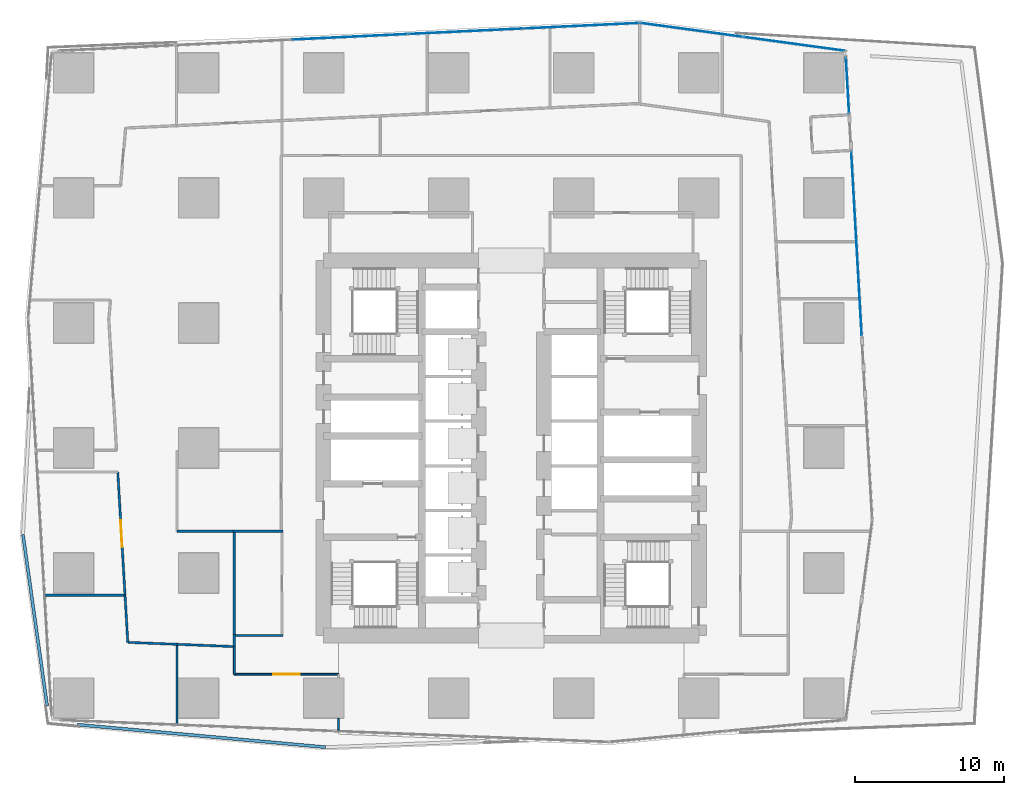
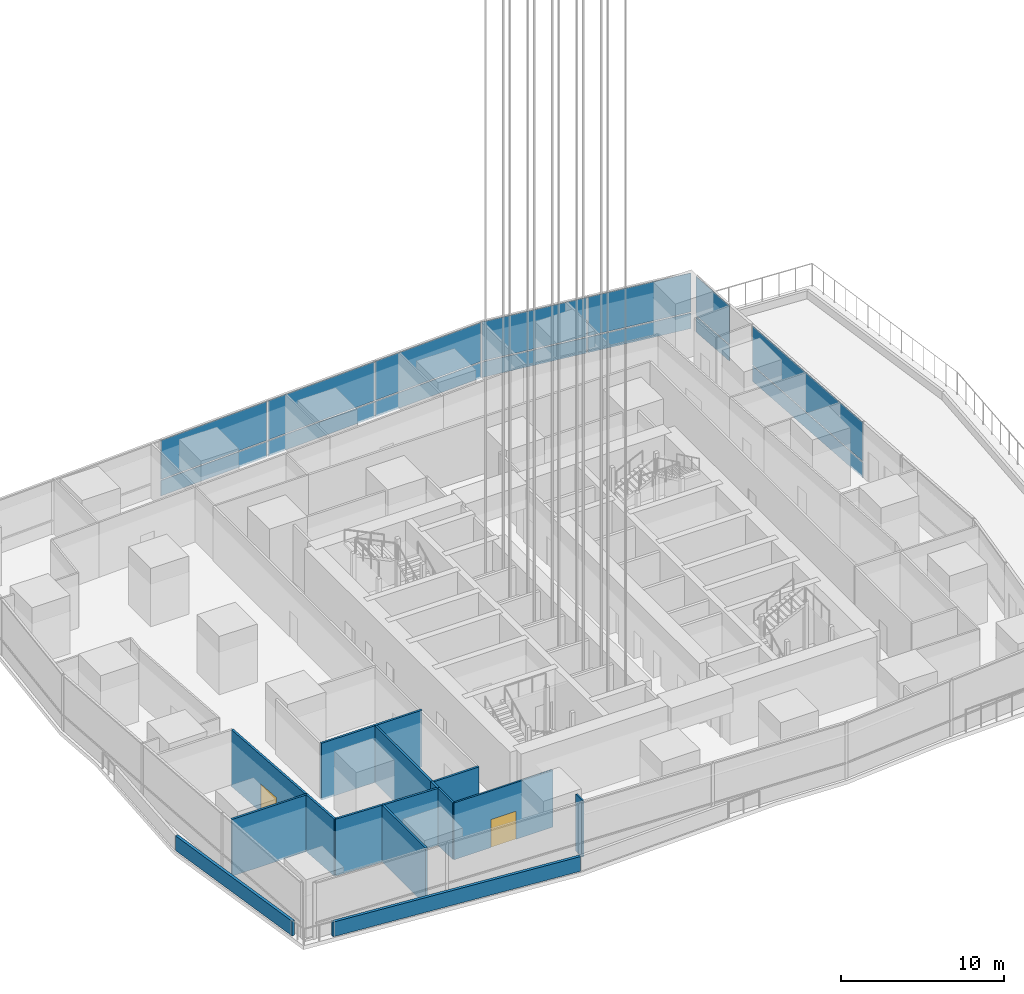
# One storey, part 14 of 39: 16 walls, 14 plates, 2 doors, 2 openings, 4 elements without a shape of their own.
"""IFC4 building model written with IfcOpenShell, lengths in metres."""

from ifc_helpers import new_model, si_unit, direction, frame, frame_2d, origin, origin_2d, place, context, subcontext, project, spatial, rectangle, extrude, material, layer, layer_set, type_object, element, fill, aggregate, save


model = new_model("IFC4")

# Units and contexts
model_context = context("Model", 3, precision=1e-05, world=origin(), true_north=direction((0.0, 1.0)))
body_context = subcontext(model_context, "Body", "Model", "MODEL_VIEW")
ifc_project = project(units=[si_unit("LENGTHUNIT", "METRE"), si_unit("AREAUNIT", "SQUARE_METRE"), si_unit("VOLUMEUNIT", "CUBIC_METRE"), si_unit("PLANEANGLEUNIT", "RADIAN"), si_unit("MASSUNIT", "GRAM", prefix="KILO")], contexts=[model_context])

# Site, building, storey
site_placement = place(None, origin())
site = spatial("IfcSite", under=ifc_project, at=site_placement, CompositionType="ELEMENT")
building_placement = place(site_placement, origin())
building = spatial("IfcBuilding", under=site, at=building_placement, Name="Rekha Terrace Tower", CompositionType="ELEMENT")
storey_placement = place(building_placement, frame((0.0, 0.0, 168.199951171875)))
storey = spatial("IfcBuildingStorey", under=building, at=storey_placement, Name="L42", CompositionType="ELEMENT", Elevation=168.199951171875)

# Curtain wall, plates
ifc_material_1 = material(Name="Aluminium framing", Category="aluminium")
curtain_wall_type = type_object("IfcCurtainWallType", Name="CW5 sky garden glazing", PredefinedType="USERDEFINED", material=ifc_material_1)
curtain_wall_1_placement = place(storey_placement, origin())
curtain_wall_1 = element("IfcCurtainWall", 1, at=curtain_wall_1_placement, inside=storey, type_object=curtain_wall_type, Name="CW5 sky garden curtain wall", ObjectType="SKY GARDEN CURTAIN WALL", PredefinedType="USERDEFINED")
ifc_material_2 = material(Name="Laminated double-glazed unit 36", Category="glass")
ifc_layer_1 = layer(ifc_material_2, 0.035888671875)
ifc_layer_set_1 = layer_set([ifc_layer_1], Name="Laminated double-glazed unit 36")
plate_type = type_object("IfcPlateType", Name="CW5 jumbo vision panel, laminated double-glazed unit 36", PredefinedType="CURTAIN_PANEL", material=ifc_layer_set_1)
plate_1_placement = place(storey_placement, frame((60.99462890625, 47.328369140625, 0.0), z_axis=(0.0, 0.0, 1.0), x_axis=(-0.056673194929, 0.998392782915, 0.0)))
plate_1 = element("IfcPlate", 2, at=plate_1_placement, type_object=plate_type, Name="CW5 panel 1.1", PredefinedType="CURTAIN_PANEL", context=body_context, shape_type="SweptSolid", body=[
    extrude(rectangle(XDim=12.360595703125, YDim=0.035888671875, at=origin_2d()), origin(), (0.0, 0.0, 1.0), 1.155029296875),
])
plate_2_placement = place(storey_placement, frame((60.99462890625, 47.328369140625, 1.2451171875), z_axis=(0.0, 0.0, 1.0), x_axis=(-0.056673194929, 0.998392782915, 0.0)))
plate_2 = element("IfcPlate", 3, at=plate_2_placement, type_object=plate_type, Name="CW5 panel 1.2", PredefinedType="CURTAIN_PANEL", context=body_context, shape_type="SweptSolid", body=[
    extrude(rectangle(XDim=12.360595703125, YDim=0.035888671875, at=origin_2d()), origin(), (0.0, 0.0, 1.0), 2.9150390625),
])
aggregate(curtain_wall_1, [plate_1, plate_2])

curtain_wall_2_placement = place(storey_placement, origin())
curtain_wall_2 = element("IfcCurtainWall", 4, at=curtain_wall_2_placement, inside=storey, type_object=curtain_wall_type, Name="CW5 sky garden curtain wall", ObjectType="SKY GARDEN CURTAIN WALL", PredefinedType="USERDEFINED")
plate_3_placement = place(storey_placement, frame((60.39208984375, 57.942138671875, 0.0), z_axis=(0.0, 0.0, 1.0), x_axis=(-0.056673194912, 0.998392782916, 0.0)))
plate_3 = element("IfcPlate", 5, at=plate_3_placement, type_object=plate_type, Name="CW5 panel 1.1", PredefinedType="CURTAIN_PANEL", context=body_context, shape_type="SweptSolid", body=[
    extrude(rectangle(XDim=3.740966796875, YDim=0.035888671875, at=origin_2d()), origin(), (0.0, 0.0, 1.0), 1.155029296875),
])
plate_4_placement = place(storey_placement, frame((60.39208984375, 57.942138671875, 1.2451171875), z_axis=(0.0, 0.0, 1.0), x_axis=(-0.056673194912, 0.998392782916, 0.0)))
plate_4 = element("IfcPlate", 6, at=plate_4_placement, type_object=plate_type, Name="CW5 panel 1.2", PredefinedType="CURTAIN_PANEL", context=body_context, shape_type="SweptSolid", body=[
    extrude(rectangle(XDim=3.740966796875, YDim=0.035888671875, at=origin_2d()), origin(), (0.0, 0.0, 1.0), 2.9150390625),
])
aggregate(curtain_wall_2, [plate_3, plate_4])

curtain_wall_3_placement = place(storey_placement, origin())
curtain_wall_3 = element("IfcCurtainWall", 7, at=curtain_wall_3_placement, inside=storey, type_object=curtain_wall_type, Name="CW5 sky garden curtain wall", ObjectType="SKY GARDEN CURTAIN WALL", PredefinedType="USERDEFINED")
plate_5_placement = place(storey_placement, frame((56.792236328125, 60.745849609375, 0.0), z_axis=(0.0, 0.0, 1.0), x_axis=(-0.990867270504, 0.134840840416, 0.0)))
plate_5 = element("IfcPlate", 8, at=plate_5_placement, type_object=plate_type, Name="CW5 panel 1.1", PredefinedType="CURTAIN_PANEL", context=body_context, shape_type="SweptSolid", body=[
    extrude(rectangle(XDim=6.81884765625, YDim=0.035888671875, at=origin_2d()), origin(), (0.0, 0.0, 1.0), 1.155029296875),
])
plate_6_placement = place(storey_placement, frame((56.792236328125, 60.745849609375, 1.2451171875), z_axis=(0.0, 0.0, 1.0), x_axis=(-0.990867270504, 0.134840840416, 0.0)))
plate_6 = element("IfcPlate", 9, at=plate_6_placement, type_object=plate_type, Name="CW5 panel 1.2", PredefinedType="CURTAIN_PANEL", context=body_context, shape_type="SweptSolid", body=[
    extrude(rectangle(XDim=6.81884765625, YDim=0.035888671875, at=origin_2d()), origin(), (0.0, 0.0, 1.0), 2.9150390625),
])
plate_7_placement = place(storey_placement, frame((49.902099609375, 61.68359375, 0.0), z_axis=(0.0, 0.0, 1.0), x_axis=(-0.990867270504, 0.134840840416, 0.0)))
plate_7 = element("IfcPlate", 10, at=plate_7_placement, type_object=plate_type, Name="CW5 panel 2.1", PredefinedType="CURTAIN_PANEL", context=body_context, shape_type="SweptSolid", body=[
    extrude(rectangle(XDim=6.90869140625, YDim=0.035888671875, at=origin_2d()), origin(), (0.0, 0.0, 1.0), 1.155029296875),
])
plate_8_placement = place(storey_placement, frame((49.902099609375, 61.68359375, 1.2451171875), z_axis=(0.0, 0.0, 1.0), x_axis=(-0.990867270504, 0.134840840416, 0.0)))
plate_8 = element("IfcPlate", 11, at=plate_8_placement, type_object=plate_type, Name="CW5 panel 2.2", PredefinedType="CURTAIN_PANEL", context=body_context, shape_type="SweptSolid", body=[
    extrude(rectangle(XDim=6.90869140625, YDim=0.035888671875, at=origin_2d()), origin(), (0.0, 0.0, 1.0), 2.9150390625),
])
aggregate(curtain_wall_3, [plate_5, plate_6, plate_7, plate_8])

curtain_wall_4_placement = place(storey_placement, origin())
curtain_wall_4 = element("IfcCurtainWall", 12, at=curtain_wall_4_placement, inside=storey, type_object=curtain_wall_type, Name="CW5 sky garden curtain wall", ObjectType="SKY GARDEN CURTAIN WALL", PredefinedType="USERDEFINED")
plate_9_placement = place(storey_placement, frame((42.548828125, 61.96142578125, 0.0), z_axis=(0.0, 0.0, 1.0), x_axis=(-0.998858906204, -0.047758616983, 0.0)))
plate_9 = element("IfcPlate", 13, at=plate_9_placement, type_object=plate_type, Name="CW5 panel 1.1", PredefinedType="CURTAIN_PANEL", context=body_context, shape_type="SweptSolid", body=[
    extrude(rectangle(XDim=7.68994140625, YDim=0.035888671875, at=origin_2d()), origin(), (0.0, 0.0, 1.0), 1.155029296875),
])
plate_10_placement = place(storey_placement, frame((42.548828125, 61.96142578125, 1.2451171875), z_axis=(0.0, 0.0, 1.0), x_axis=(-0.998858906204, -0.047758616983, 0.0)))
plate_10 = element("IfcPlate", 14, at=plate_10_placement, type_object=plate_type, Name="CW5 panel 1.2", PredefinedType="CURTAIN_PANEL", context=body_context, shape_type="SweptSolid", body=[
    extrude(rectangle(XDim=7.68994140625, YDim=0.035888671875, at=origin_2d()), origin(), (0.0, 0.0, 1.0), 2.9150390625),
])
plate_11_placement = place(storey_placement, frame((34.755126953125, 61.5888671875, 0.0), z_axis=(0.0, 0.0, 1.0), x_axis=(-0.998858906204, -0.047758616983, 0.0)))
plate_11 = element("IfcPlate", 15, at=plate_11_placement, type_object=plate_type, Name="CW5 panel 2.1", PredefinedType="CURTAIN_PANEL", context=body_context, shape_type="SweptSolid", body=[
    extrude(rectangle(XDim=7.73486328125, YDim=0.035888671875, at=origin_2d()), origin(), (0.0, 0.0, 1.0), 1.155029296875),
])
plate_12_placement = place(storey_placement, frame((34.755126953125, 61.5888671875, 1.2451171875), z_axis=(0.0, 0.0, 1.0), x_axis=(-0.998858906204, -0.047758616983, 0.0)))
plate_12 = element("IfcPlate", 16, at=plate_12_placement, type_object=plate_type, Name="CW5 panel 2.2", PredefinedType="CURTAIN_PANEL", context=body_context, shape_type="SweptSolid", body=[
    extrude(rectangle(XDim=7.73486328125, YDim=0.035888671875, at=origin_2d()), origin(), (0.0, 0.0, 1.0), 2.9150390625),
])
plate_13_placement = place(storey_placement, frame((26.939208984375, 61.215087890625, 0.0), z_axis=(0.0, 0.0, 1.0), x_axis=(-0.998858906204, -0.047758616983, 0.0)))
plate_13 = element("IfcPlate", 17, at=plate_13_placement, type_object=plate_type, Name="CW5 panel 3.1", PredefinedType="CURTAIN_PANEL", context=body_context, shape_type="SweptSolid", body=[
    extrude(rectangle(XDim=7.73486328125, YDim=0.035888671875, at=origin_2d()), origin(), (0.0, 0.0, 1.0), 1.155029296875),
])
plate_14_placement = place(storey_placement, frame((26.939208984375, 61.215087890625, 1.2451171875), z_axis=(0.0, 0.0, 1.0), x_axis=(-0.998858906204, -0.047758616983, 0.0)))
plate_14 = element("IfcPlate", 18, at=plate_14_placement, type_object=plate_type, Name="CW5 panel 3.2", PredefinedType="CURTAIN_PANEL", context=body_context, shape_type="SweptSolid", body=[
    extrude(rectangle(XDim=7.73486328125, YDim=0.035888671875, at=origin_2d()), origin(), (0.0, 0.0, 1.0), 2.9150390625),
])
aggregate(curtain_wall_4, [plate_9, plate_10, plate_11, plate_12, plate_13, plate_14])

# Walls
ifc_material_3 = material(Name="Concrete M40", Category="concrete")
ifc_layer_2 = layer(ifc_material_3, 0.199951171875)
ifc_layer_set_2 = layer_set([ifc_layer_2], Name="Concrete M40")
wall_type_1 = type_object("IfcWallType", Name="PP1 parapet wall 200", PredefinedType="PARAPET", material=ifc_layer_set_2)
wall_1_placement = place(storey_placement, frame((5.000732421875, 27.776611328125, 0.0), z_axis=(0.0, 0.0, 1.0), x_axis=(0.139605325678, -0.990207227323, 0.0)))
element("IfcWall", 19, at=wall_1_placement, inside=storey, type_object=wall_type_1, Name="Ledge parapet", PredefinedType="PARAPET", context=body_context, shape_type="SweptSolid", body=[
    extrude(rectangle(XDim=11.633056640625, YDim=0.199951171875, at=frame_2d((5.81640625, 0.0))), origin(), (0.0, 0.0, 1.0), 1.10009765625),
])
wall_2_placement = place(storey_placement, frame((8.660400390625, 15.013671875, 0.0), z_axis=(0.0, 0.0, 1.0), x_axis=(0.995901573545, -0.090443660974, 0.0)))
element("IfcWall", 20, at=wall_2_placement, inside=storey, type_object=wall_type_1, Name="Ledge parapet", PredefinedType="PARAPET", context=body_context, shape_type="SweptSolid", body=[
    extrude(rectangle(XDim=16.7333984375, YDim=0.199951171875, at=frame_2d((8.36669921875, 0.0))), origin(), (0.0, 0.0, 1.0), 1.10009765625),
])
ifc_material_4 = material(Name="Concrete block masonry, 1 hour", Category="masonry")
ifc_layer_3 = layer(ifc_material_4, 0.14990234375)
ifc_layer_set_3 = layer_set([ifc_layer_3], Name="Concrete block masonry, 1 hour")
wall_type_2 = type_object("IfcWallType", Name="WP2 150 tenancy partition", PredefinedType="PARTITIONING", material=ifc_layer_set_3)
for number, where, z_axis, x_axis, name in (
    (21, (19.125, 21.0, 0.0), (0.0, 0.0, 1.0), (1.0, 0.0, 0.0), "Men's WC wall L42"),
    (22, (19.125, 28.0, 0.0), (0.0, 0.0, 1.0), (1.0, 0.0, 0.0), "Men's WC wall L42"),
):
    element("IfcWall", number, at=place(storey_placement, frame(where, z_axis=z_axis, x_axis=x_axis)), inside=storey, type_object=wall_type_2, Name=name, PredefinedType="PARTITIONING", context=body_context, shape_type="SweptSolid", body=[
        extrude(rectangle(XDim=3.35009765625, YDim=0.14990234375, at=frame_2d((1.675048828125, 0.0))), origin(), (0.0, 0.0, 1.0), 4.25),
    ])
wall_3_placement = place(storey_placement, frame((19.199951171875, 21.074951171875, 0.0), z_axis=(0.0, 0.0, 1.0), x_axis=(0.0, 1.0, 0.0)))
element("IfcWall", 23, at=wall_3_placement, inside=storey, type_object=wall_type_2, Name="Men's WC wall L42", PredefinedType="PARTITIONING", context=body_context, shape_type="SweptSolid", body=[
    extrude(rectangle(XDim=6.85009765625, YDim=0.14990234375, at=frame_2d((3.425048828125, 0.0))), origin(), (0.0, 0.0, 1.0), 4.25),
])
wall_4_placement = place(storey_placement, frame((15.340087890625, 28.0, 0.0), z_axis=(0.0, 0.0, 1.0), x_axis=(1.0, 0.0, 0.0)))
element("IfcWall", 24, at=wall_4_placement, inside=storey, type_object=wall_type_2, Name="Partition L42-O2b", PredefinedType="PARTITIONING", context=body_context, shape_type="SweptSolid", body=[
    extrude(rectangle(XDim=3.783935546875, YDim=0.14990234375, at=frame_2d((1.89208984375, 0.0))), origin(), (0.0, 0.0, 1.0), 4.25),
])
wall_5_placement = place(storey_placement, frame((19.199951171875, 21.074951171875, 0.0), z_axis=(0.0, 0.0, 1.0), x_axis=(0.0, -1.0, 0.0)))
element("IfcWall", 25, at=wall_5_placement, inside=storey, type_object=wall_type_2, Name="Partition L42-O2b", PredefinedType="PARTITIONING", context=body_context, shape_type="SweptSolid", body=[
    extrude(rectangle(XDim=0.81689453125, YDim=0.14990234375, at=frame_2d((0.408447265625, 0.0))), origin(), (0.0, 0.0, 1.0), 4.25),
])
wall_6_placement = place(storey_placement, frame((19.199951171875, 20.258056640625, 0.0), z_axis=(0.0, 0.0, 1.0), x_axis=(-0.999204086199, 0.039889774667, 0.0)))
element("IfcWall", 26, at=wall_6_placement, inside=storey, type_object=wall_type_2, Name="Partition L42-O2b", PredefinedType="PARTITIONING", context=body_context, shape_type="SweptSolid", body=[
    extrude(rectangle(XDim=3.862060546875, YDim=0.14990234375, at=frame_2d((1.93115234375, 0.0))), origin(), (0.0, 0.0, 1.0), 4.25),
])
wall_7_placement = place(storey_placement, frame((15.341064453125, 20.412109375, 0.0), z_axis=(0.0, 0.0, 1.0), x_axis=(0.0, -1.0, 0.0)))
element("IfcWall", 27, at=wall_7_placement, inside=storey, type_object=wall_type_2, Name="Partition L42-O2b", PredefinedType="PARTITIONING", context=body_context, shape_type="SweptSolid", body=[
    extrude(rectangle(XDim=5.355224609375, YDim=0.14990234375, at=frame_2d((2.677734375, 0.0))), origin(), (0.0, 0.0, 1.0), 4.25),
])
wall_8_placement = place(storey_placement, frame((15.340087890625, 20.412109375, 0.0), z_axis=(0.0, 0.0, 1.0), x_axis=(-0.999202021772, 0.039941453235, 0.0)))
element("IfcWall", 28, at=wall_8_placement, inside=storey, type_object=wall_type_2, Name="Partition L42-O2b", PredefinedType="PARTITIONING", context=body_context, shape_type="SweptSolid", body=[
    extrude(rectangle(XDim=3.30078125, YDim=0.14990234375, at=frame_2d((1.650390625, 0.0))), origin(), (0.0, 0.0, 1.0), 4.25),
])
wall_9_placement = place(storey_placement, frame((12.0419921875, 20.5439453125, 0.0), z_axis=(0.0, 0.0, 1.0), x_axis=(-0.058807979637, 0.998269313127, 0.0)))
element("IfcWall", 29, at=wall_9_placement, inside=storey, type_object=wall_type_2, Name="Partition L42-O2b", PredefinedType="PARTITIONING", context=body_context, shape_type="SweptSolid", body=[
    extrude(rectangle(XDim=3.163330078125, YDim=0.14990234375, at=frame_2d((1.58154296875, 0.0))), origin(), (0.0, 0.0, 1.0), 4.25),
])
wall_10_placement = place(storey_placement, frame((11.85595703125, 23.701904296875, 0.0), z_axis=(0.0, 0.0, 1.0), x_axis=(-1.0, 0.0, 0.0)))
element("IfcWall", 30, at=wall_10_placement, inside=storey, type_object=wall_type_2, Name="Partition L42-O2b", PredefinedType="PARTITIONING", context=body_context, shape_type="SweptSolid", body=[
    extrude(rectangle(XDim=5.328857421875, YDim=0.14990234375, at=frame_2d((2.66455078125, 0.0))), origin(), (0.0, 0.0, 1.0), 4.25),
])

# Wall, opening, door
wall_11_placement = place(storey_placement, frame((11.85595703125, 23.702880859375, 0.0), z_axis=(0.0, 0.0, 1.0), x_axis=(-0.058672025665, 0.998277312877, 0.0)))
wall_11 = element("IfcWall", 31, at=wall_11_placement, inside=storey, type_object=wall_type_2, Name="Partition L42-O2b", PredefinedType="PARTITIONING", context=body_context, shape_type="SweptSolid", body=[
    extrude(rectangle(XDim=8.301513671875, YDim=0.14990234375, at=frame_2d((4.15087890625, 0.0))), origin(), (0.0, 0.0, 1.0), 4.25),
])
opening_1_placement = place(wall_11_placement, frame((3.2509765625, 0.0, 0.0)))
opening_1 = element("IfcOpeningElement", 32, at=opening_1_placement, cuts=wall_11, Name="Opening D8", PredefinedType="OPENING", context=body_context, shape_type="SweptSolid", body=[
    extrude(rectangle(XDim=1.800048828125, YDim=2.10009765625, at=frame_2d((0.89990234375, 1.050048828125))), frame((0.0, 0.0849609375, 0.0), z_axis=(0.0, -1.0, 0.0), x_axis=(1.0, 0.0, 0.0)), (0.0, 0.0, 1.0), 0.169921875),
])
ifc_material_5 = material(Name="Timber fire door", Category="wood")
door_type = type_object("IfcDoorType", Name="D8 1800x2100 double leaf door", OperationType="DOUBLE_DOOR_SINGLE_SWING", PredefinedType="DOOR", material=ifc_material_5)
door_1_placement = place(opening_1_placement, origin())
door_1 = element("IfcDoor", 33, at=door_1_placement, inside=storey, type_object=door_type, Name="Door breakout lounge L42", OperationType="DOUBLE_DOOR_SINGLE_SWING", OverallHeight=2.10009765625, OverallWidth=1.800048828125, PredefinedType="DOOR", context=body_context, shape_type="SweptSolid", body=[
    extrude(rectangle(XDim=1.800048828125, YDim=2.10009765625, at=frame_2d((0.89990234375, 1.050048828125))), frame((0.0, 0.02490234375, 0.0), z_axis=(0.0, -1.0, 0.0), x_axis=(1.0, 0.0, 0.0)), (0.0, 0.0, 1.0), 0.050048828125),
])
fill(opening_1, door_1)

# Wall
ifc_material_6 = material(Name="Two layers of fire-rated gypsum board each side on steel studs, acoustic quilt, 1 hour", Category="steel")
ifc_layer_4 = layer(ifc_material_6, 0.125)
ifc_layer_set_4 = layer_set([ifc_layer_4], Name="Two layers of fire-rated gypsum board each side on steel studs, acoustic quilt, 1 hour")
wall_type_3 = type_object("IfcWallType", Name="WP3 125 office partition", PredefinedType="PARTITIONING", material=ifc_layer_set_4)
wall_12_placement = place(storey_placement, frame((19.199951171875, 20.258056640625, 0.0), z_axis=(0.0, 0.0, 1.0), x_axis=(0.0, -1.0, 0.0)))
element("IfcWall", 34, at=wall_12_placement, inside=storey, type_object=wall_type_3, Name="Partition L42-15", PredefinedType="PARTITIONING", context=body_context, shape_type="SweptSolid", body=[
    extrude(rectangle(XDim=1.858154296875, YDim=0.125, at=frame_2d((0.92919921875, 0.0))), origin(), (0.0, 0.0, 1.0), 4.25),
])

# Wall, opening, door
wall_13_placement = place(storey_placement, frame((19.199951171875, 18.39990234375, 0.0), z_axis=(0.0, 0.0, 1.0), x_axis=(1.0, 0.0, 0.0)))
wall_13 = element("IfcWall", 35, at=wall_13_placement, inside=storey, type_object=wall_type_3, Name="Partition L42-15", PredefinedType="PARTITIONING", context=body_context, shape_type="SweptSolid", body=[
    extrude(rectangle(XDim=6.9990234375, YDim=0.125, at=frame_2d((3.49951171875, 0.0))), origin(), (0.0, 0.0, 1.0), 4.25),
])
opening_2_placement = place(wall_13_placement, frame((2.60009765625, 0.0, 0.0)))
opening_2 = element("IfcOpeningElement", 36, at=opening_2_placement, cuts=wall_13, Name="Opening D8", PredefinedType="OPENING", context=body_context, shape_type="SweptSolid", body=[
    extrude(rectangle(XDim=1.800048828125, YDim=2.10009765625, at=frame_2d((0.89990234375, 1.050048828125))), frame((0.0, 0.072509765625, 0.0), z_axis=(0.0, -1.0, 0.0), x_axis=(1.0, 0.0, 0.0)), (0.0, 0.0, 1.0), 0.14501953125),
])
door_2_placement = place(opening_2_placement, origin())
door_2 = element("IfcDoor", 37, at=door_2_placement, inside=storey, type_object=door_type, Name="Door business lounge L42", OperationType="DOUBLE_DOOR_SINGLE_SWING", OverallHeight=2.10009765625, OverallWidth=1.800048828125, PredefinedType="DOOR", context=body_context, shape_type="SweptSolid", body=[
    extrude(rectangle(XDim=1.800048828125, YDim=2.10009765625, at=frame_2d((0.89990234375, 1.050048828125))), frame((0.0, 0.02490234375, 0.0), z_axis=(0.0, -1.0, 0.0), x_axis=(1.0, 0.0, 0.0)), (0.0, 0.0, 1.0), 0.050048828125),
])
fill(opening_2, door_2)

# Wall
wall_14_placement = place(storey_placement, frame((26.198974609375, 15.429931640625, 0.0), z_axis=(0.0, 0.0, 1.0), x_axis=(0.0, -1.0, 0.0)))
element("IfcWall", 38, at=wall_14_placement, inside=storey, type_object=wall_type_3, Name="Partition L42-15", PredefinedType="PARTITIONING", context=body_context, shape_type="SweptSolid", body=[
    extrude(rectangle(XDim=0.77587890625, YDim=0.125, at=frame_2d((0.387939453125, 0.0))), origin(), (0.0, 0.0, 1.0), 4.25),
])

save(model, "model.ifc")
